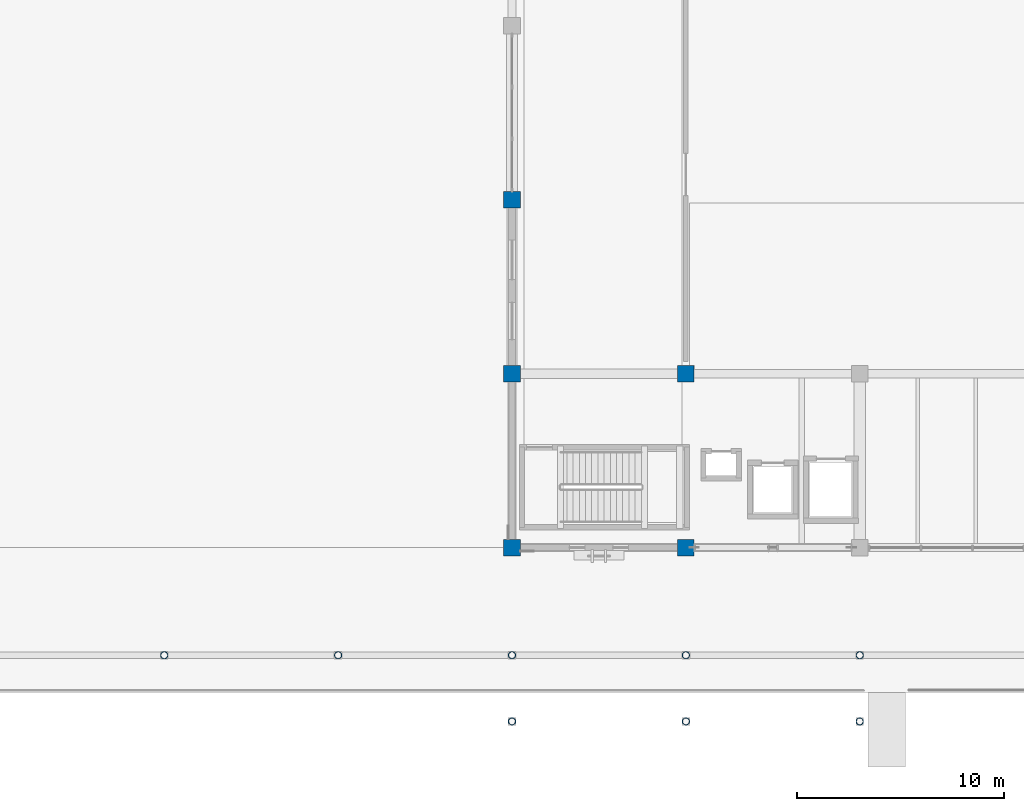
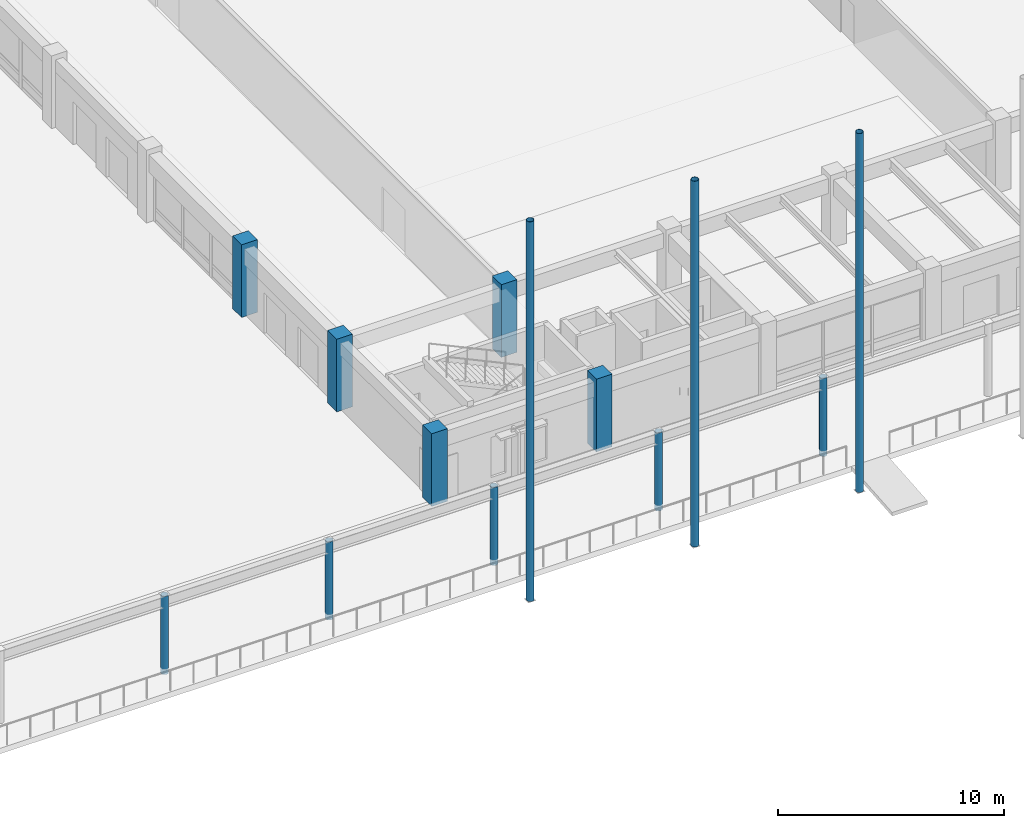
# One storey, part 17 of 135: 13 columns.
"""IFC4 building model written with IfcOpenShell, lengths in metres."""

from ifc_helpers import new_model, si_unit, direction, frame, origin, origin_2d, place, context, subcontext, project, spatial, rectangle, hollow_circle, extrude, material, material_profile, profile_set, type_object, element, save


model = new_model("IFC4")

# Units and contexts
model_context = context("Model", 3, precision=1e-05, world=origin(), true_north=direction((0.0, 1.0)))
body_context = subcontext(model_context, "Body", "Model", "MODEL_VIEW")
ifc_project = project(units=[si_unit("LENGTHUNIT", "METRE"), si_unit("AREAUNIT", "SQUARE_METRE"), si_unit("VOLUMEUNIT", "CUBIC_METRE"), si_unit("PLANEANGLEUNIT", "RADIAN"), si_unit("MASSUNIT", "GRAM", prefix="KILO")], contexts=[model_context])

# Site, building, storey
site_placement = place(None, origin())
site = spatial("IfcSite", under=ifc_project, at=site_placement, CompositionType="ELEMENT")
building_placement = place(site_placement, origin())
building = spatial("IfcBuilding", under=site, at=building_placement, Name="Cumbredor Promenade Congress Hotel", CompositionType="ELEMENT")
storey_placement = place(building_placement, origin())
storey = spatial("IfcBuildingStorey", under=building, at=storey_placement, Name="L00", CompositionType="ELEMENT", Elevation=0.0)

# Columns
ifc_material_1 = material(Name="Concrete C50/60", Category="concrete")
ifc_material_profile_1 = material_profile(ifc_material_1, rectangle(XDim=0.800048828125, YDim=0.800048828125, at=origin_2d()), Name="RC 800x800")
ifc_profile_set_1 = profile_set([ifc_material_profile_1], Name="Concrete C50/60")
column_type_1 = type_object("IfcColumnType", Name="COL-RC-800", PredefinedType="COLUMN", material=ifc_profile_set_1)
for number, where, z_axis, x_axis, name in (
    (1, (142.800048828125, 8.39990234375, 0.0), (0.0, 0.0, 1.0), (1.0, 0.0, 0.0), "L00 Structural Column 153"),
    (2, (142.800048828125, 16.800048828125, 0.0), (0.0, 0.0, 1.0), (1.0, 0.0, 0.0), "L00 Structural Column 154"),
    (3, (142.800048828125, 25.199951171875, 0.0), (0.0, 0.0, 1.0), (1.0, 0.0, 0.0), "L00 Structural Column 155"),
    (4, (151.199951171875, 8.39990234375, 0.0), (0.0, 0.0, 1.0), (1.0, 0.0, 0.0), "L00 Structural Column 165"),
    (5, (151.199951171875, 16.800048828125, 0.0), (0.0, 0.0, 1.0), (1.0, 0.0, 0.0), "L00 Structural Column 166"),
):
    element("IfcColumn", number, at=place(storey_placement, frame(where, z_axis=z_axis, x_axis=x_axis)), inside=storey, type_object=column_type_1, Name=name, PredefinedType="COLUMN", context=body_context, shape_type="SweptSolid", body=[
        extrude(rectangle(XDim=0.800048828125, YDim=0.800048828125, at=origin_2d()), origin(), (0.0, 0.0, 1.0), 3.919921875),
    ])
ifc_material_2 = material(Name="Steel ASTM A500 Grade C", Category="steel")
ifc_material_profile_2 = material_profile(ifc_material_2, hollow_circle(Radius=0.177734375, WallThickness=0.01611328125, at=origin_2d()), Name="CHS 355.6x16")
ifc_profile_set_2 = profile_set([ifc_material_profile_2], Name="Steel ASTM A500 Grade C")
column_type_2 = type_object("IfcColumnType", Name="COL-STL-CHS355", PredefinedType="COLUMN", material=ifc_profile_set_2)
for number, where, z_axis, x_axis, name in (
    (6, (126.0, 3.199951171875, -0.300048828125), (0.0, 0.0, 1.0), (1.0, 0.0, 0.0), "Promenade Colonnade Column TC-023"),
    (7, (134.39990234375, 3.199951171875, -0.300048828125), (0.0, 0.0, 1.0), (1.0, 0.0, 0.0), "Promenade Colonnade Column TC-024"),
    (8, (142.800048828125, 3.199951171875, -0.300048828125), (0.0, 0.0, 1.0), (1.0, 0.0, 0.0), "Promenade Colonnade Column TC-025"),
    (9, (151.199951171875, 3.199951171875, -0.300048828125), (0.0, 0.0, 1.0), (1.0, 0.0, 0.0), "Promenade Colonnade Column TC-026"),
    (10, (159.60009765625, 3.199951171875, -0.300048828125), (0.0, 0.0, 1.0), (1.0, 0.0, 0.0), "Promenade Colonnade Column TC-027"),
):
    element("IfcColumn", number, at=place(storey_placement, frame(where, z_axis=z_axis, x_axis=x_axis)), inside=storey, type_object=column_type_2, Name=name, PredefinedType="COLUMN", context=body_context, shape_type="SweptSolid", body=[
        extrude(hollow_circle(Radius=0.177734375, WallThickness=0.01611328125, at=origin_2d()), origin(), (0.0, 0.0, 1.0), 4.219970703125),
    ])
column_1_placement = place(storey_placement, frame((142.800048828125, 0.0, -0.300048828125), z_axis=(0.0, 0.0, 1.0), x_axis=(1.0, 0.0, 0.0)))
element("IfcColumn", 11, at=column_1_placement, inside=storey, type_object=column_type_2, Name="Grand Ballroom Pavilion Slim Overhang Pavilion Column 01", PredefinedType="COLUMN", context=body_context, shape_type="SweptSolid", body=[
    extrude(hollow_circle(Radius=0.177734375, WallThickness=0.01611328125, at=origin_2d()), origin(), (0.0, 0.0, 1.0), 20.481201171875),
])
column_2_placement = place(storey_placement, frame((151.199951171875, 0.0, -0.300048828125), z_axis=(0.0, 0.0, 1.0), x_axis=(1.0, 0.0, 0.0)))
element("IfcColumn", 12, at=column_2_placement, inside=storey, type_object=column_type_2, Name="Grand Ballroom Pavilion Slim Overhang Pavilion Column 02", PredefinedType="COLUMN", context=body_context, shape_type="SweptSolid", body=[
    extrude(hollow_circle(Radius=0.177734375, WallThickness=0.01611328125, at=origin_2d()), origin(), (0.0, 0.0, 1.0), 19.7314453125),
])
column_3_placement = place(storey_placement, frame((159.60009765625, 0.0, -0.300048828125), z_axis=(0.0, 0.0, 1.0), x_axis=(1.0, 0.0, 0.0)))
element("IfcColumn", 13, at=column_3_placement, inside=storey, type_object=column_type_2, Name="Grand Ballroom Pavilion Slim Overhang Pavilion Column 03", PredefinedType="COLUMN", context=body_context, shape_type="SweptSolid", body=[
    extrude(hollow_circle(Radius=0.177734375, WallThickness=0.01611328125, at=origin_2d()), origin(), (0.0, 0.0, 1.0), 19.356201171875),
])

save(model, "model.ifc")
